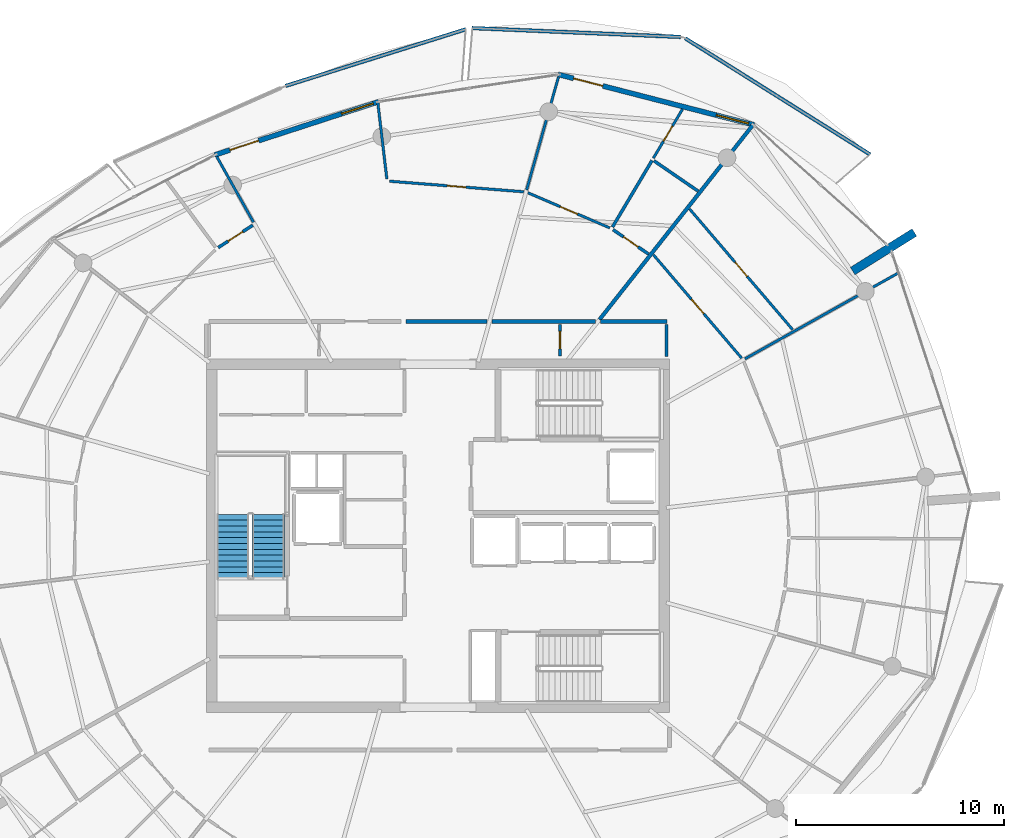
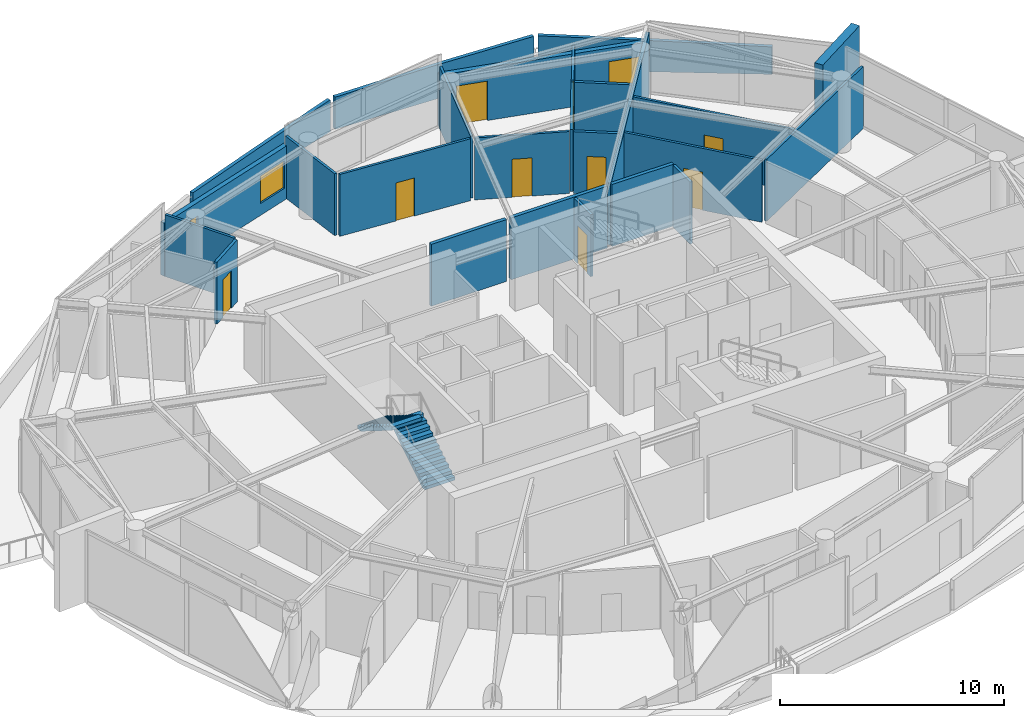
# One storey, part 14 of 20: 25 walls, 10 doors, 2 stair flights, 2 windows, 12 openings, 1 element without a shape of its own.
"""IFC4 building model written with IfcOpenShell, lengths in metres."""

from ifc_helpers import new_model, si_unit, direction, frame, frame_2d, origin, place, context, subcontext, project, spatial, polyline, rectangle, outline, extrude, material, layer, layer_set, type_object, element, fill, aggregate, save


model = new_model("IFC4")

# Units and contexts
model_context = context("Model", 3, precision=1e-05, world=origin(), true_north=direction((0.0, 1.0)))
body_context = subcontext(model_context, "Body", "Model", "MODEL_VIEW")
ifc_project = project(units=[si_unit("LENGTHUNIT", "METRE"), si_unit("AREAUNIT", "SQUARE_METRE"), si_unit("VOLUMEUNIT", "CUBIC_METRE"), si_unit("PLANEANGLEUNIT", "RADIAN"), si_unit("MASSUNIT", "GRAM", prefix="KILO")], contexts=[model_context])

# Site, building, storey
site_placement = place(None, origin())
site = spatial("IfcSite", under=ifc_project, at=site_placement, CompositionType="ELEMENT")
building_placement = place(site_placement, origin())
building = spatial("IfcBuilding", under=site, at=building_placement, Name="Kazma Halo Residences", CompositionType="ELEMENT")
storey_placement = place(building_placement, frame((0.0, 0.0, 317.89990234375)))
storey = spatial("IfcBuildingStorey", under=building, at=storey_placement, Name="L80", CompositionType="ELEMENT", Elevation=317.89990234375)

# Walls
ifc_material_1 = material(Name="White Concrete C50/60 Balustrade", Category="concrete")
ifc_layer_1 = layer(ifc_material_1, 0.179931640625)
ifc_layer_set_1 = layer_set([ifc_layer_1], Name="White Concrete C50/60 Balustrade")
wall_type_1 = type_object("IfcWallType", Name="WL-BAL-WAVE-180", PredefinedType="PARAPET", material=ifc_layer_set_1)
wall_1_placement = place(storey_placement, frame((69.187255859375, 60.320556640625, 0.0), z_axis=(0.0, 0.0, 1.0), x_axis=(-0.846699200114, 0.532071860302, 0.0)))
element("IfcWall", 1, at=wall_1_placement, inside=storey, type_object=wall_type_1, Name="L80 white wave balustrade wall NE.1", PredefinedType="PARAPET", context=body_context, shape_type="SweptSolid", body=[
    extrude(outline(polyline([(0.0, 0.0), (10.4833984375, 0.0), (10.4833984375, 1.83203125), (5.24169921875, 1.696044921875), (0.0, 1.4970703125), (0.0, 0.0)])), frame((0.0, 0.08984375, 0.0), z_axis=(0.0, -1.0, 0.0), x_axis=(1.0, 0.0, 0.0)), (0.0, 0.0, 1.0), 0.179931640625),
])
wall_2_placement = place(storey_placement, frame((60.089599609375, 65.96728515625, 0.0), z_axis=(0.0, 0.0, 1.0), x_axis=(-0.999100454853, 0.042406144738, 0.0)))
element("IfcWall", 2, at=wall_2_placement, inside=storey, type_object=wall_type_1, Name="L80 white wave balustrade wall NE.2", PredefinedType="PARAPET", context=body_context, shape_type="SweptSolid", body=[
    extrude(outline(polyline([(0.0, 0.0), (10.029052734375, 0.0), (10.02880859375, 1.756103515625), (5.014404296875, 1.85302734375), (0.0, 1.83203125), (0.0, 0.0)])), frame((0.0, 0.08984375, 0.0), z_axis=(0.0, -1.0, 0.0), x_axis=(1.0, 0.0, 0.0)), (0.0, 0.0, 1.0), 0.179931640625),
])
wall_3_placement = place(storey_placement, frame((49.765869140625, 66.336669921875, 0.0), z_axis=(0.0, 0.0, 1.0), x_axis=(-0.953971961219, -0.299895810587, 0.0)))
element("IfcWall", 3, at=wall_3_placement, inside=storey, type_object=wall_type_1, Name="L80 white wave balustrade wall NNW.1", PredefinedType="PARAPET", context=body_context, shape_type="SweptSolid", body=[
    extrude(outline(polyline([(0.0, 0.0), (9.080322265625, 0.0), (9.080078125, 1.34814453125), (4.5400390625, 1.56201171875), (0.0, 1.7470703125), (0.0, 0.0)])), frame((0.0, 0.08984375, 0.0), z_axis=(0.0, -1.0, 0.0), x_axis=(1.0, 0.0, 0.0)), (0.0, 0.0, 1.0), 0.179931640625),
])
ifc_material_2 = material(Name="Pale Concrete C60/75", Category="concrete")
ifc_layer_2 = layer(ifc_material_2, 0.419921875)
ifc_layer_set_2 = layer_set([ifc_layer_2], Name="Pale Concrete C60/75")
wall_type_2 = type_object("IfcWallType", Name="WL-BLADE-420", PredefinedType="SOLIDWALL", material=ifc_layer_set_2)
wall_4_placement = place(storey_placement, frame((68.3525390625, 54.7177734375, 0.0), z_axis=(0.0, 0.0, 1.0), x_axis=(0.848053161125, 0.529911158502, 0.0)))
element("IfcWall", 4, at=wall_4_placement, inside=storey, type_object=wall_type_2, Name="L80 pale concrete structural blade fin wall BW-01", PredefinedType="SOLIDWALL", context=body_context, shape_type="SweptSolid", body=[
    extrude(rectangle(XDim=3.5, YDim=0.419921875, at=frame_2d((1.75, 0.0))), origin(), (0.0, 0.0, 1.0), 4.2001953125),
])
ifc_material_3 = material(Name="Acoustic Twin-Stud Gypsum")
ifc_layer_3 = layer(ifc_material_3, 0.179931640625)
ifc_layer_set_3 = layer_set([ifc_layer_3], Name="Acoustic Twin-Stud Gypsum")
wall_type_3 = type_object("IfcWallType", Name="WL-DEM-180", PredefinedType="PARTITIONING", material=ifc_layer_set_3)
wall_5_placement = place(storey_placement, frame((56.18798828125, 52.386474609375, 0.0), z_axis=(0.0, 0.0, 1.0), x_axis=(0.619092742501, 0.78531788225, 0.0)))
element("IfcWall", 5, at=wall_5_placement, inside=storey, type_object=wall_type_3, Name="L80 apartment demising radial wall 01", PredefinedType="PARTITIONING", context=body_context, shape_type="SweptSolid", body=[
    extrude(rectangle(XDim=11.901123046875, YDim=0.179931640625, at=frame_2d((5.95068359375, 0.0))), origin(), (0.0, 0.0, 1.0), 3.380126953125),
])
wall_6_placement = place(storey_placement, frame((56.0, 52.300048828125, 0.0), z_axis=(0.0, 0.0, 1.0), x_axis=(-1.0, 0.0, 0.0)))
element("IfcWall", 6, at=wall_6_placement, inside=storey, type_object=wall_type_3, Name="L80 Penthouse 1 inner wall 1", PredefinedType="PARTITIONING", context=body_context, shape_type="SweptSolid", body=[
    extrude(rectangle(XDim=4.97509765625, YDim=0.179931640625, at=frame_2d((2.487548828125, 0.0))), origin(), (0.0, 0.0, 1.0), 3.380126953125),
])
wall_7_placement = place(storey_placement, frame((50.784912109375, 52.300048828125, 0.0), z_axis=(0.0, 0.0, 1.0), x_axis=(-1.0, 0.0, 0.0)))
element("IfcWall", 7, at=wall_7_placement, inside=storey, type_object=wall_type_3, Name="L80 Penthouse 1 inner wall 2", PredefinedType="PARTITIONING", context=body_context, shape_type="SweptSolid", body=[
    extrude(rectangle(XDim=3.884033203125, YDim=0.179931640625, at=frame_2d((1.94189453125, 0.0))), origin(), (0.0, 0.0, 1.0), 3.380126953125),
])
wall_8_placement = place(storey_placement, frame((59.429931640625, 52.300048828125, 0.0), z_axis=(0.0, 0.0, 1.0), x_axis=(-1.0, 0.0, 0.0)))
element("IfcWall", 8, at=wall_8_placement, inside=storey, type_object=wall_type_3, Name="L80 Penthouse 2 inner wall 0", PredefinedType="PARTITIONING", context=body_context, shape_type="SweptSolid", body=[
    extrude(rectangle(XDim=3.18994140625, YDim=0.179931640625, at=frame_2d((1.594970703125, 0.0))), origin(), (0.0, 0.0, 1.0), 3.380126953125),
])

# Wall, openings, door, window
ifc_material_4 = material(Name="Insulated Pale-Metal Composite Wall")
ifc_layer_4 = layer(ifc_material_4, 0.239990234375)
ifc_layer_set_4 = layer_set([ifc_layer_4], Name="Insulated Pale-Metal Composite Wall")
wall_type_4 = type_object("IfcWallType", Name="WL-EXT-HOST-240", PredefinedType="SOLIDWALL", material=ifc_layer_set_4)
wall_9_placement = place(storey_placement, frame((63.619873046875, 61.73974609375, 0.0), z_axis=(0.0, 0.0, 1.0), x_axis=(-0.968389076094, 0.249444577616, 0.0)))
wall_9 = element("IfcWall", 9, at=wall_9_placement, inside=storey, type_object=wall_type_4, Name="L80 exterior terrace-access wall B02", PredefinedType="SOLIDWALL", context=body_context, shape_type="SweptSolid", body=[
    extrude(rectangle(XDim=9.727783203125, YDim=0.239990234375, at=frame_2d((4.86376953125, 0.0))), origin(), (0.0, 0.0, 1.0), 2.89013671875),
])
opening_1_placement = place(wall_9_placement, frame((7.5078125, 0.0, 0.0)))
opening_1 = element("IfcOpeningElement", 10, at=opening_1_placement, cuts=wall_9, Name="Opening DTR-1600", PredefinedType="OPENING", context=body_context, shape_type="SweptSolid", body=[
    extrude(rectangle(XDim=1.449951171875, YDim=2.14990234375, at=frame_2d((0.72509765625, 1.074951171875))), frame((0.0, 0.1298828125, 0.0), z_axis=(0.0, -1.0, 0.0), x_axis=(1.0, 0.0, 0.0)), (0.0, 0.0, 1.0), 0.260009765625),
])
opening_2_placement = place(wall_9_placement, frame((0.280029296875, 0.0, 0.64990234375)))
opening_2 = element("IfcOpeningElement", 11, at=opening_2_placement, cuts=wall_9, Name="Opening W-1800", PredefinedType="OPENING", context=body_context, shape_type="SweptSolid", body=[
    extrude(rectangle(XDim=1.60009765625, YDim=1.5, at=frame_2d((0.800048828125, 0.75))), frame((0.0, 0.1298828125, 0.0), z_axis=(0.0, -1.0, 0.0), x_axis=(1.0, 0.0, 0.0)), (0.0, 0.0, 1.0), 0.260009765625),
])
ifc_material_5 = material(Name="Aluminium AW-6063 T6 Double-Glazed Terrace Door", Category="aluminium")
door_type_1 = type_object("IfcDoorType", Name="DR-EXT-TERR-1600", OperationType="NOTDEFINED", PredefinedType="DOOR", material=ifc_material_5)
door_1_placement = place(opening_1_placement, origin())
door_1 = element("IfcDoor", 12, at=door_1_placement, inside=storey, type_object=door_type_1, Name="L80 B02 balcony terrace door", OperationType="DOUBLE_DOOR_SLIDING", OverallHeight=2.14990234375, OverallWidth=1.449951171875, PredefinedType="DOOR", context=body_context, shape_type="SweptSolid", body=[
    extrude(rectangle(XDim=1.449951171875, YDim=2.14990234375, at=frame_2d((0.72509765625, 1.074951171875))), frame((0.0, 0.02490234375, 0.0), z_axis=(0.0, -1.0, 0.0), x_axis=(1.0, 0.0, 0.0)), (0.0, 0.0, 1.0), 0.050048828125),
])
fill(opening_1, door_1)
ifc_material_6 = material(Name="Clear Triple-Silver Low-E Glass in Aluminium AW-6063 T6 Frame", Category="aluminium")
window_type = type_object("IfcWindowType", Name="WIN-RES-1800", PartitioningType="DOUBLE_PANEL_VERTICAL", PredefinedType="WINDOW", material=ifc_material_6)
window_1_placement = place(opening_2_placement, origin())
window_1 = element("IfcWindow", 13, at=window_1_placement, inside=storey, type_object=window_type, Name="L80 B02 apartment window", OverallHeight=1.5, OverallWidth=1.60009765625, PartitioningType="SINGLE_PANEL", PredefinedType="WINDOW", context=body_context, shape_type="SweptSolid", body=[
    extrude(rectangle(XDim=1.60009765625, YDim=1.5, at=frame_2d((0.800048828125, 0.75))), frame((0.0, 0.030029296875, 0.0), z_axis=(0.0, -1.0, 0.0), x_axis=(1.0, 0.0, 0.0)), (0.0, 0.0, 1.0), 0.06005859375),
])
fill(opening_2, window_1)

wall_10_placement = place(storey_placement, frame((45.580810546875, 62.857421875, 0.0), z_axis=(0.0, 0.0, 1.0), x_axis=(-0.951053547111, -0.309026132434, 0.0)))
wall_10 = element("IfcWall", 14, at=wall_10_placement, inside=storey, type_object=wall_type_4, Name="L80 exterior terrace-access wall B04", PredefinedType="SOLIDWALL", context=body_context, shape_type="SweptSolid", body=[
    extrude(rectangle(XDim=8.2890625, YDim=0.239990234375, at=frame_2d((4.14453125, 0.0))), origin(), (0.0, 0.0, 1.0), 2.89013671875),
])
opening_3_placement = place(wall_10_placement, frame((6.06884765625, 0.0, 0.0)))
opening_3 = element("IfcOpeningElement", 15, at=opening_3_placement, cuts=wall_10, Name="Opening DTR-1600", PredefinedType="OPENING", context=body_context, shape_type="SweptSolid", body=[
    extrude(rectangle(XDim=1.449951171875, YDim=2.14990234375, at=frame_2d((0.72509765625, 1.074951171875))), frame((0.0, 0.1298828125, 0.0), z_axis=(0.0, -1.0, 0.0), x_axis=(1.0, 0.0, 0.0)), (0.0, 0.0, 1.0), 0.260009765625),
])
opening_4_placement = place(wall_10_placement, frame((0.280029296875, 0.0, 0.64990234375)))
opening_4 = element("IfcOpeningElement", 16, at=opening_4_placement, cuts=wall_10, Name="Opening W-1800", PredefinedType="OPENING", context=body_context, shape_type="SweptSolid", body=[
    extrude(rectangle(XDim=1.60009765625, YDim=1.5, at=frame_2d((0.800048828125, 0.75))), frame((0.0, 0.1298828125, 0.0), z_axis=(0.0, -1.0, 0.0), x_axis=(1.0, 0.0, 0.0)), (0.0, 0.0, 1.0), 0.260009765625),
])
door_2_placement = place(opening_3_placement, origin())
door_2 = element("IfcDoor", 17, at=door_2_placement, inside=storey, type_object=door_type_1, Name="L80 B04 balcony terrace door", OperationType="DOUBLE_DOOR_SLIDING", OverallHeight=2.14990234375, OverallWidth=1.449951171875, PredefinedType="DOOR", context=body_context, shape_type="SweptSolid", body=[
    extrude(rectangle(XDim=1.449951171875, YDim=2.14990234375, at=frame_2d((0.72509765625, 1.074951171875))), frame((0.0, 0.02490234375, 0.0), z_axis=(0.0, -1.0, 0.0), x_axis=(1.0, 0.0, 0.0)), (0.0, 0.0, 1.0), 0.050048828125),
])
fill(opening_3, door_2)
window_2_placement = place(opening_4_placement, origin())
window_2 = element("IfcWindow", 18, at=window_2_placement, inside=storey, type_object=window_type, Name="L80 B04 apartment window", OverallHeight=1.5, OverallWidth=1.60009765625, PartitioningType="SINGLE_PANEL", PredefinedType="WINDOW", context=body_context, shape_type="SweptSolid", body=[
    extrude(rectangle(XDim=1.60009765625, YDim=1.5, at=frame_2d((0.800048828125, 0.75))), frame((0.0, 0.030029296875, 0.0), z_axis=(0.0, -1.0, 0.0), x_axis=(1.0, 0.0, 0.0)), (0.0, 0.0, 1.0), 0.06005859375),
])
fill(opening_4, window_2)

# Wall
ifc_material_7 = material(Name="Gypsum Plasterboard Partition")
ifc_layer_5 = layer(ifc_material_7, 0.125)
ifc_layer_set_5 = layer_set([ifc_layer_5], Name="Gypsum Plasterboard Partition")
wall_type_5 = type_object("IfcWallType", Name="WL-PART-125", PredefinedType="PARTITIONING", material=ifc_layer_set_5)
wall_11_placement = place(storey_placement, frame((59.409912109375, 50.6201171875, 0.0), z_axis=(0.0, 0.0, 1.0), x_axis=(0.0, 1.0, 0.0)))
element("IfcWall", 19, at=wall_11_placement, inside=storey, type_object=wall_type_5, Name="L80 east cupboard end wall", PredefinedType="PARTITIONING", context=body_context, shape_type="SweptSolid", body=[
    extrude(rectangle(XDim=1.539794921875, YDim=0.125, at=frame_2d((0.77001953125, 0.0))), origin(), (0.0, 0.0, 1.0), 3.380126953125),
])

# Wall, opening, door
wall_12_placement = place(storey_placement, frame((54.2900390625, 50.639892578125, 0.0), z_axis=(0.0, 0.0, 1.0), x_axis=(0.0, 1.0, 0.0)))
wall_12 = element("IfcWall", 20, at=wall_12_placement, inside=storey, type_object=wall_type_5, Name="L80 floor metering cupboard door wall", PredefinedType="PARTITIONING", context=body_context, shape_type="SweptSolid", body=[
    extrude(rectangle(XDim=1.52001953125, YDim=0.125, at=frame_2d((0.760009765625, 0.0))), origin(), (0.0, 0.0, 1.0), 3.380126953125),
])
opening_5_placement = place(wall_12_placement, frame((0.3349609375, 0.0, 0.0)))
opening_5 = element("IfcOpeningElement", 21, at=opening_5_placement, cuts=wall_12, Name="Opening DS-850", PredefinedType="OPENING", context=body_context, shape_type="SweptSolid", body=[
    extrude(rectangle(XDim=0.85009765625, YDim=2.06005859375, at=frame_2d((0.425048828125, 1.030029296875))), frame((0.0, 0.072509765625, 0.0), z_axis=(0.0, -1.0, 0.0), x_axis=(1.0, 0.0, 0.0)), (0.0, 0.0, 1.0), 0.14501953125),
])
ifc_material_8 = material(Name="Painted Steel Access Leaf", Category="steel")
door_type_2 = type_object("IfcDoorType", Name="DR-SVC-850", OperationType="NOTDEFINED", PredefinedType="DOOR", material=ifc_material_8)
door_3_placement = place(opening_5_placement, origin())
door_3 = element("IfcDoor", 22, at=door_3_placement, inside=storey, type_object=door_type_2, Name="L80 floor cupboard door", OperationType="SINGLE_SWING_RIGHT", OverallHeight=2.06005859375, OverallWidth=0.85009765625, PredefinedType="DOOR", context=body_context, shape_type="SweptSolid", body=[
    extrude(rectangle(XDim=0.85009765625, YDim=2.06005859375, at=frame_2d((0.425048828125, 1.030029296875))), frame((0.0, 0.02490234375, 0.0), z_axis=(0.0, -1.0, 0.0), x_axis=(1.0, 0.0, 0.0)), (0.0, 0.0, 1.0), 0.050048828125),
])
fill(opening_5, door_3)

wall_13_placement = place(storey_placement, frame((58.778076171875, 60.14306640625, 0.0), z_axis=(0.0, 0.0, 1.0), x_axis=(0.510643596404, 0.85979248511, 0.0)))
wall_13 = element("IfcWall", 23, at=wall_13_placement, inside=storey, type_object=wall_type_5, Name="L80 Penthouse 1 Household Store Room partition wall", PredefinedType="PARTITIONING", context=body_context, shape_type="SweptSolid", body=[
    extrude(rectangle(XDim=2.743896484375, YDim=0.125, at=frame_2d((1.3720703125, 0.0))), origin(), (0.0, 0.0, 1.0), 3.380126953125),
])
opening_6_placement = place(wall_13_placement, frame((0.947021484375, 0.0, 0.0)))
opening_6 = element("IfcOpeningElement", 24, at=opening_6_placement, cuts=wall_13, Name="Opening DB-900", PredefinedType="OPENING", context=body_context, shape_type="SweptSolid", body=[
    extrude(rectangle(XDim=0.85009765625, YDim=2.06005859375, at=frame_2d((0.425048828125, 1.030029296875))), frame((0.0, 0.072509765625, 0.0), z_axis=(0.0, -1.0, 0.0), x_axis=(1.0, 0.0, 0.0)), (0.0, 0.0, 1.0), 0.14501953125),
])
ifc_material_9 = material(Name="Moisture-Sealed Timber Leaf", Category="wood")
door_type_3 = type_object("IfcDoorType", Name="DR-BTH-900", OperationType="NOTDEFINED", PredefinedType="DOOR", material=ifc_material_9)
door_4_placement = place(opening_6_placement, origin())
door_4 = element("IfcDoor", 25, at=door_4_placement, inside=storey, type_object=door_type_3, Name="L80 Penthouse 1 Household Store Room door", OperationType="SINGLE_SWING_LEFT", OverallHeight=2.06005859375, OverallWidth=0.85009765625, PredefinedType="DOOR", context=body_context, shape_type="SweptSolid", body=[
    extrude(rectangle(XDim=0.85009765625, YDim=2.06005859375, at=frame_2d((0.425048828125, 1.030029296875))), frame((0.0, 0.02490234375, 0.0), z_axis=(0.0, -1.0, 0.0), x_axis=(1.0, 0.0, 0.0)), (0.0, 0.0, 1.0), 0.050048828125),
])
fill(opening_6, door_4)

wall_14_placement = place(storey_placement, frame((56.68310546875, 56.791259765625, 0.0), z_axis=(0.0, 0.0, 1.0), x_axis=(-0.918926533299, 0.394428734246, 0.0)))
wall_14 = element("IfcWall", 26, at=wall_14_placement, inside=storey, type_object=wall_type_5, Name="L80 Penthouse 1 Gourmet Kitchen hall wall", PredefinedType="PARTITIONING", context=body_context, shape_type="SweptSolid", body=[
    extrude(rectangle(XDim=4.279541015625, YDim=0.125, at=frame_2d((2.1396484375, 0.0))), origin(), (0.0, 0.0, 1.0), 3.380126953125),
])
opening_7_placement = place(wall_14_placement, frame((1.689697265625, 0.0, 0.0)))
opening_7 = element("IfcOpeningElement", 27, at=opening_7_placement, cuts=wall_14, Name="Opening DI-950", PredefinedType="OPENING", context=body_context, shape_type="SweptSolid", body=[
    extrude(rectangle(XDim=0.89990234375, YDim=2.080078125, at=frame_2d((0.449951171875, 1.0400390625))), frame((0.0, 0.072509765625, 0.0), z_axis=(0.0, -1.0, 0.0), x_axis=(1.0, 0.0, 0.0)), (0.0, 0.0, 1.0), 0.14501953125),
])
ifc_material_10 = material(Name="Timber Veneer Flush Leaf", Category="wood")
door_type_4 = type_object("IfcDoorType", Name="DR-INT-950", OperationType="NOTDEFINED", PredefinedType="DOOR", material=ifc_material_10)
door_5_placement = place(opening_7_placement, origin())
door_5 = element("IfcDoor", 28, at=door_5_placement, inside=storey, type_object=door_type_4, Name="L80 Penthouse 1 Gourmet Kitchen door", OperationType="SINGLE_SWING_RIGHT", OverallHeight=2.080078125, OverallWidth=0.89990234375, PredefinedType="DOOR", context=body_context, shape_type="SweptSolid", body=[
    extrude(rectangle(XDim=0.89990234375, YDim=2.080078125, at=frame_2d((0.449951171875, 1.0400390625))), frame((0.0, 0.02490234375, 0.0), z_axis=(0.0, -1.0, 0.0), x_axis=(1.0, 0.0, 0.0)), (0.0, 0.0, 1.0), 0.050048828125),
])
fill(opening_7, door_5)

# Walls
wall_15_placement = place(storey_placement, frame((52.685791015625, 58.61474609375, 0.0), z_axis=(0.0, 0.0, 1.0), x_axis=(0.271455015282, 0.962451128462, 0.0)))
element("IfcWall", 29, at=wall_15_placement, inside=storey, type_object=wall_type_5, Name="L80 Penthouse 1 radial partition 2", PredefinedType="PARTITIONING", context=body_context, shape_type="SweptSolid", body=[
    extrude(rectangle(XDim=5.630126953125, YDim=0.125, at=frame_2d((2.81494140625, 0.0))), origin(), (0.0, 0.0, 1.0), 3.380126953125),
])
wall_16_placement = place(storey_placement, frame((45.970947265625, 59.143310546875, 0.0), z_axis=(0.0, 0.0, 1.0), x_axis=(-0.117541965763, 0.99306791625, 0.0)))
element("IfcWall", 30, at=wall_16_placement, inside=storey, type_object=wall_type_5, Name="L80 Penthouse 1 living radial partition 2", PredefinedType="PARTITIONING", context=body_context, shape_type="SweptSolid", body=[
    extrude(rectangle(XDim=3.69921875, YDim=0.125, at=frame_2d((1.849609375, 0.0))), origin(), (0.0, 0.0, 1.0), 3.380126953125),
])

# Wall, opening, door
wall_17_placement = place(storey_placement, frame((52.549072265625, 58.527099609375, 0.0), z_axis=(0.0, 0.0, 1.0), x_axis=(-0.996915635348, 0.078480672772, 0.0)))
wall_17 = element("IfcWall", 31, at=wall_17_placement, inside=storey, type_object=wall_type_5, Name="L80 Penthouse 1 East Formal Dining Room gallery wall", PredefinedType="PARTITIONING", context=body_context, shape_type="SweptSolid", body=[
    extrude(rectangle(XDim=6.476806640625, YDim=0.125, at=frame_2d((3.23828125, 0.0))), origin(), (0.0, 0.0, 1.0), 3.380126953125),
])
opening_8_placement = place(wall_17_placement, frame((2.788330078125, 0.0, 0.0)))
opening_8 = element("IfcOpeningElement", 32, at=opening_8_placement, cuts=wall_17, Name="Opening DI-950", PredefinedType="OPENING", context=body_context, shape_type="SweptSolid", body=[
    extrude(rectangle(XDim=0.89990234375, YDim=2.080078125, at=frame_2d((0.449951171875, 1.0400390625))), frame((0.0, 0.072509765625, 0.0), z_axis=(0.0, -1.0, 0.0), x_axis=(1.0, 0.0, 0.0)), (0.0, 0.0, 1.0), 0.14501953125),
])
door_6_placement = place(opening_8_placement, origin())
door_6 = element("IfcDoor", 33, at=door_6_placement, inside=storey, type_object=door_type_4, Name="L80 Penthouse 1 East Formal Dining Room door", OperationType="SINGLE_SWING_LEFT", OverallHeight=2.080078125, OverallWidth=0.89990234375, PredefinedType="DOOR", context=body_context, shape_type="SweptSolid", body=[
    extrude(rectangle(XDim=0.89990234375, YDim=2.080078125, at=frame_2d((0.449951171875, 1.0400390625))), frame((0.0, 0.02490234375, 0.0), z_axis=(0.0, -1.0, 0.0), x_axis=(1.0, 0.0, 0.0)), (0.0, 0.0, 1.0), 0.050048828125),
])
fill(opening_8, door_6)

# Walls
wall_18_placement = place(storey_placement, frame((39.56494140625, 57.06201171875, 0.0), z_axis=(0.0, 0.0, 1.0), x_axis=(-0.488617828282, 0.872497918556, 0.0)))
element("IfcWall", 34, at=wall_18_placement, inside=storey, type_object=wall_type_5, Name="L80 Penthouse 1 radial partition 4", PredefinedType="PARTITIONING", context=body_context, shape_type="SweptSolid", body=[
    extrude(rectangle(XDim=3.59912109375, YDim=0.125, at=frame_2d((1.799560546875, 0.0))), origin(), (0.0, 0.0, 1.0), 3.380126953125),
])
wall_19_placement = place(storey_placement, frame((63.177978515625, 50.5, 0.0), z_axis=(0.0, 0.0, 1.0), x_axis=(0.872495656661, 0.488621867201, 0.0)))
element("IfcWall", 35, at=wall_19_placement, inside=storey, type_object=wall_type_5, Name="L80 Penthouse 2 radial partition 0", PredefinedType="PARTITIONING", context=body_context, shape_type="SweptSolid", body=[
    extrude(rectangle(XDim=8.439697265625, YDim=0.125, at=frame_2d((4.2197265625, 0.0))), origin(), (0.0, 0.0, 1.0), 3.380126953125),
])

# Wall, opening, door
wall_20_placement = place(storey_placement, frame((63.019287109375, 50.534912109375, 0.0), z_axis=(0.0, 0.0, 1.0), x_axis=(-0.649450715324, 0.760403687764, 0.0)))
wall_20 = element("IfcWall", 36, at=wall_20_placement, inside=storey, type_object=wall_type_5, Name="L80 Penthouse 2 North Study hall wall", PredefinedType="PARTITIONING", context=body_context, shape_type="SweptSolid", body=[
    extrude(rectangle(XDim=6.528564453125, YDim=0.125, at=frame_2d((3.26416015625, 0.0))), origin(), (0.0, 0.0, 1.0), 3.380126953125),
])
opening_9_placement = place(wall_20_placement, frame((2.814208984375, 0.0, 0.0)))
opening_9 = element("IfcOpeningElement", 37, at=opening_9_placement, cuts=wall_20, Name="Opening DI-950", PredefinedType="OPENING", context=body_context, shape_type="SweptSolid", body=[
    extrude(rectangle(XDim=0.89990234375, YDim=2.080078125, at=frame_2d((0.449951171875, 1.0400390625))), frame((0.0, 0.072509765625, 0.0), z_axis=(0.0, -1.0, 0.0), x_axis=(1.0, 0.0, 0.0)), (0.0, 0.0, 1.0), 0.14501953125),
])
door_7_placement = place(opening_9_placement, origin())
door_7 = element("IfcDoor", 38, at=door_7_placement, inside=storey, type_object=door_type_4, Name="L80 Penthouse 2 North Study door", OperationType="SINGLE_SWING_LEFT", OverallHeight=2.080078125, OverallWidth=0.89990234375, PredefinedType="DOOR", context=body_context, shape_type="SweptSolid", body=[
    extrude(rectangle(XDim=0.89990234375, YDim=2.080078125, at=frame_2d((0.449951171875, 1.0400390625))), frame((0.0, 0.02490234375, 0.0), z_axis=(0.0, -1.0, 0.0), x_axis=(1.0, 0.0, 0.0)), (0.0, 0.0, 1.0), 0.050048828125),
])
fill(opening_9, door_7)

wall_21_placement = place(storey_placement, frame((65.466552734375, 51.905517578125, 0.0), z_axis=(0.0, 0.0, 1.0), x_axis=(-0.649439942486, 0.760412888571, 0.0)))
wall_21 = element("IfcWall", 39, at=wall_21_placement, inside=storey, type_object=wall_type_5, Name="L80 Penthouse 2 South Master Bedroom divider wall", PredefinedType="PARTITIONING", context=body_context, shape_type="SweptSolid", body=[
    extrude(rectangle(XDim=7.623046875, YDim=0.125, at=frame_2d((3.8115234375, 0.0))), origin(), (0.0, 0.0, 1.0), 3.380126953125),
])
opening_10_placement = place(wall_21_placement, frame((3.361572265625, 0.0, 0.0)))
opening_10 = element("IfcOpeningElement", 40, at=opening_10_placement, cuts=wall_21, Name="Opening DI-950", PredefinedType="OPENING", context=body_context, shape_type="SweptSolid", body=[
    extrude(rectangle(XDim=0.89990234375, YDim=2.080078125, at=frame_2d((0.449951171875, 1.0400390625))), frame((0.0, 0.072509765625, 0.0), z_axis=(0.0, -1.0, 0.0), x_axis=(1.0, 0.0, 0.0)), (0.0, 0.0, 1.0), 0.14501953125),
])
door_8_placement = place(opening_10_placement, origin())
door_8 = element("IfcDoor", 41, at=door_8_placement, inside=storey, type_object=door_type_4, Name="L80 Penthouse 2 South Master Bedroom door", OperationType="SINGLE_SWING_RIGHT", OverallHeight=2.080078125, OverallWidth=0.89990234375, PredefinedType="DOOR", context=body_context, shape_type="SweptSolid", body=[
    extrude(rectangle(XDim=0.89990234375, YDim=2.080078125, at=frame_2d((0.449951171875, 1.0400390625))), frame((0.0, 0.02490234375, 0.0), z_axis=(0.0, -1.0, 0.0), x_axis=(1.0, 0.0, 0.0)), (0.0, 0.0, 1.0), 0.050048828125),
])
fill(opening_10, door_8)

ifc_material_11 = material(Name="Moisture-Resistant Gypsum")
ifc_layer_6 = layer(ifc_material_11, 0.14990234375)
ifc_layer_set_6 = layer_set([ifc_layer_6], Name="Moisture-Resistant Gypsum")
wall_type_6 = type_object("IfcWallType", Name="WL-WET-150", PredefinedType="PARTITIONING", material=ifc_layer_set_6)
wall_22_placement = place(storey_placement, frame((58.543212890625, 55.534912109375, 0.0), z_axis=(0.0, 0.0, 1.0), x_axis=(-0.824355515216, 0.566072419865, 0.0)))
wall_22 = element("IfcWall", 42, at=wall_22_placement, inside=storey, type_object=wall_type_6, Name="L80 Penthouse 1 Guest Bathroom hall wall", PredefinedType="PARTITIONING", context=body_context, shape_type="SweptSolid", body=[
    extrude(rectangle(XDim=2.06640625, YDim=0.14990234375, at=frame_2d((1.033203125, 0.0))), origin(), (0.0, 0.0, 1.0), 3.380126953125),
])
opening_11_placement = place(wall_22_placement, frame((0.608154296875, 0.0, 0.0)))
opening_11 = element("IfcOpeningElement", 43, at=opening_11_placement, cuts=wall_22, Name="Opening DB-900", PredefinedType="OPENING", context=body_context, shape_type="SweptSolid", body=[
    extrude(rectangle(XDim=0.85009765625, YDim=2.06005859375, at=frame_2d((0.425048828125, 1.030029296875))), frame((0.0, 0.0849609375, 0.0), z_axis=(0.0, -1.0, 0.0), x_axis=(1.0, 0.0, 0.0)), (0.0, 0.0, 1.0), 0.169921875),
])
door_9_placement = place(opening_11_placement, origin())
door_9 = element("IfcDoor", 44, at=door_9_placement, inside=storey, type_object=door_type_3, Name="L80 Penthouse 1 Guest Bathroom door", OperationType="SINGLE_SWING_RIGHT", OverallHeight=2.06005859375, OverallWidth=0.85009765625, PredefinedType="DOOR", context=body_context, shape_type="SweptSolid", body=[
    extrude(rectangle(XDim=0.85009765625, YDim=2.06005859375, at=frame_2d((0.425048828125, 1.030029296875))), frame((0.0, 0.02490234375, 0.0), z_axis=(0.0, -1.0, 0.0), x_axis=(1.0, 0.0, 0.0)), (0.0, 0.0, 1.0), 0.050048828125),
])
fill(opening_11, door_9)

# Walls
wall_23_placement = place(storey_placement, frame((60.926513671875, 58.55859375, 0.0), z_axis=(0.0, 0.0, 1.0), x_axis=(-0.824349211277, 0.566081600007, 0.0)))
element("IfcWall", 45, at=wall_23_placement, inside=storey, type_object=wall_type_6, Name="L80 Penthouse 1 Guest Bathroom back wall", PredefinedType="PARTITIONING", context=body_context, shape_type="SweptSolid", body=[
    extrude(rectangle(XDim=2.572265625, YDim=0.14990234375, at=frame_2d((1.2861328125, 0.0))), origin(), (0.0, 0.0, 1.0), 3.380126953125),
])
wall_24_placement = place(storey_placement, frame((56.811767578125, 56.8330078125, 0.0), z_axis=(0.0, 0.0, 1.0), x_axis=(0.510726768545, 0.859743082491, 0.0)))
element("IfcWall", 46, at=wall_24_placement, inside=storey, type_object=wall_type_6, Name="L80 Penthouse 1 Guest Bathroom side wall", PredefinedType="PARTITIONING", context=body_context, shape_type="SweptSolid", body=[
    extrude(rectangle(XDim=3.719970703125, YDim=0.14990234375, at=frame_2d((1.85986328125, 0.0))), origin(), (0.0, 0.0, 1.0), 3.380126953125),
])

# Wall, opening, door
wall_25_placement = place(storey_placement, frame((39.52978515625, 56.92041015625, 0.0), z_axis=(0.0, 0.0, 1.0), x_axis=(-0.839824942878, -0.542857315802, 0.0)))
wall_25 = element("IfcWall", 47, at=wall_25_placement, inside=storey, type_object=wall_type_6, Name="L80 Penthouse 1 West En-Suite Bathroom hall wall", PredefinedType="PARTITIONING", context=body_context, shape_type="SweptSolid", body=[
    extrude(rectangle(XDim=1.978759765625, YDim=0.14990234375, at=frame_2d((0.9892578125, 0.0))), origin(), (0.0, 0.0, 1.0), 3.380126953125),
])
opening_12_placement = place(wall_25_placement, frame((0.564453125, 0.0, 0.0)))
opening_12 = element("IfcOpeningElement", 48, at=opening_12_placement, cuts=wall_25, Name="Opening DB-900", PredefinedType="OPENING", context=body_context, shape_type="SweptSolid", body=[
    extrude(rectangle(XDim=0.85009765625, YDim=2.06005859375, at=frame_2d((0.425048828125, 1.030029296875))), frame((0.0, 0.0849609375, 0.0), z_axis=(0.0, -1.0, 0.0), x_axis=(1.0, 0.0, 0.0)), (0.0, 0.0, 1.0), 0.169921875),
])
door_10_placement = place(opening_12_placement, origin())
door_10 = element("IfcDoor", 49, at=door_10_placement, inside=storey, type_object=door_type_3, Name="L80 Penthouse 1 West En-Suite Bathroom door", OperationType="SINGLE_SWING_LEFT", OverallHeight=2.06005859375, OverallWidth=0.85009765625, PredefinedType="DOOR", context=body_context, shape_type="SweptSolid", body=[
    extrude(rectangle(XDim=0.85009765625, YDim=2.06005859375, at=frame_2d((0.425048828125, 1.030029296875))), frame((0.0, 0.02490234375, 0.0), z_axis=(0.0, -1.0, 0.0), x_axis=(1.0, 0.0, 0.0)), (0.0, 0.0, 1.0), 0.050048828125),
])
fill(opening_12, door_10)

# Stair, stair flights
ifc_material_12 = material(Name="Concrete C50/60", Category="concrete")
stair_type = type_object("IfcStairType", Name="STR-RES2", PredefinedType="HALF_TURN_STAIR", material=ifc_material_12)
stair_placement = place(storey_placement, origin())
stair = element("IfcStair", 50, at=stair_placement, inside=storey, type_object=stair_type, Name="L80 Core exit stair ST-01", PredefinedType="HALF_TURN_STAIR")
stair_flight_type = type_object("IfcStairFlightType", Name="STR-RES2-FLT", PredefinedType="STRAIGHT", material=ifc_material_12)
stair_flight_1_placement = place(storey_placement, frame((40.27490234375, 39.949951171875, 0.0), z_axis=(0.0, 0.0, 1.0), x_axis=(0.0, 1.0, 0.0)))
stair_flight_1 = element("IfcStairFlight", 51, at=stair_flight_1_placement, type_object=stair_flight_type, Name="ST-01 flight 1", NumberOfRisers=12, NumberOfTreads=11, PredefinedType="STRAIGHT", RiserHeight=0.175, TreadLength=0.28, context=body_context, shape_type="SweptSolid", body=[
    extrude(outline(polyline([(0.0, 0.0), (0.0, 0.175048828125), (0.280029296875, 0.175048828125), (0.280029296875, 0.35009765625), (0.56005859375, 0.35009765625), (0.56005859375, 0.52490234375), (0.840087890625, 0.52490234375), (0.840087890625, 0.699951171875), (1.1201171875, 0.699951171875), (1.1201171875, 0.875), (1.39990234375, 0.875), (1.39990234375, 1.050048828125), (1.679931640625, 1.050048828125), (1.679931640625, 1.22509765625), (1.9599609375, 1.22509765625), (1.9599609375, 1.39990234375), (2.239990234375, 1.39990234375), (2.239990234375, 1.574951171875), (2.52001953125, 1.574951171875), (2.52001953125, 1.75), (2.800048828125, 1.75), (2.800048828125, 1.925048828125), (3.080078125, 1.925048828125), (3.080078125, 2.10009765625), (3.080078125, 1.748291015625), (0.28271484375, 0.0), (0.0, 0.0)])), frame((0.0, 0.77490234375, 0.0), z_axis=(0.0, -1.0, 0.0), x_axis=(1.0, 0.0, 0.0)), (0.0, 0.0, 1.0), 1.550048828125),
])
stair_flight_2_placement = place(storey_placement, frame((38.574951171875, 43.030029296875, 2.10009765625), z_axis=(0.0, 0.0, 1.0), x_axis=(0.0, -1.0, 0.0)))
stair_flight_2 = element("IfcStairFlight", 52, at=stair_flight_2_placement, type_object=stair_flight_type, Name="ST-01 flight 2", NumberOfRisers=12, NumberOfTreads=11, PredefinedType="STRAIGHT", RiserHeight=0.175, TreadLength=0.28, context=body_context, shape_type="SweptSolid", body=[
    extrude(outline(polyline([(0.0, 0.0), (0.0, 0.175048828125), (0.280029296875, 0.175048828125), (0.280029296875, 0.35009765625), (0.56005859375, 0.35009765625), (0.56005859375, 0.52490234375), (0.840087890625, 0.52490234375), (0.840087890625, 0.699951171875), (1.1201171875, 0.699951171875), (1.1201171875, 0.875), (1.39990234375, 0.875), (1.39990234375, 1.050048828125), (1.679931640625, 1.050048828125), (1.679931640625, 1.22509765625), (1.9599609375, 1.22509765625), (1.9599609375, 1.39990234375), (2.239990234375, 1.39990234375), (2.239990234375, 1.574951171875), (2.52001953125, 1.574951171875), (2.52001953125, 1.75), (2.800048828125, 1.75), (2.800048828125, 1.925048828125), (3.080078125, 1.925048828125), (3.080078125, 2.10009765625), (3.080078125, 1.748291015625), (0.28271484375, 0.0), (0.0, 0.0)])), frame((0.0, 0.77490234375, 0.0), z_axis=(0.0, -1.0, 0.0), x_axis=(1.0, 0.0, 0.0)), (0.0, 0.0, 1.0), 1.550048828125),
])
aggregate(stair, [stair_flight_1, stair_flight_2])

save(model, "model.ifc")
